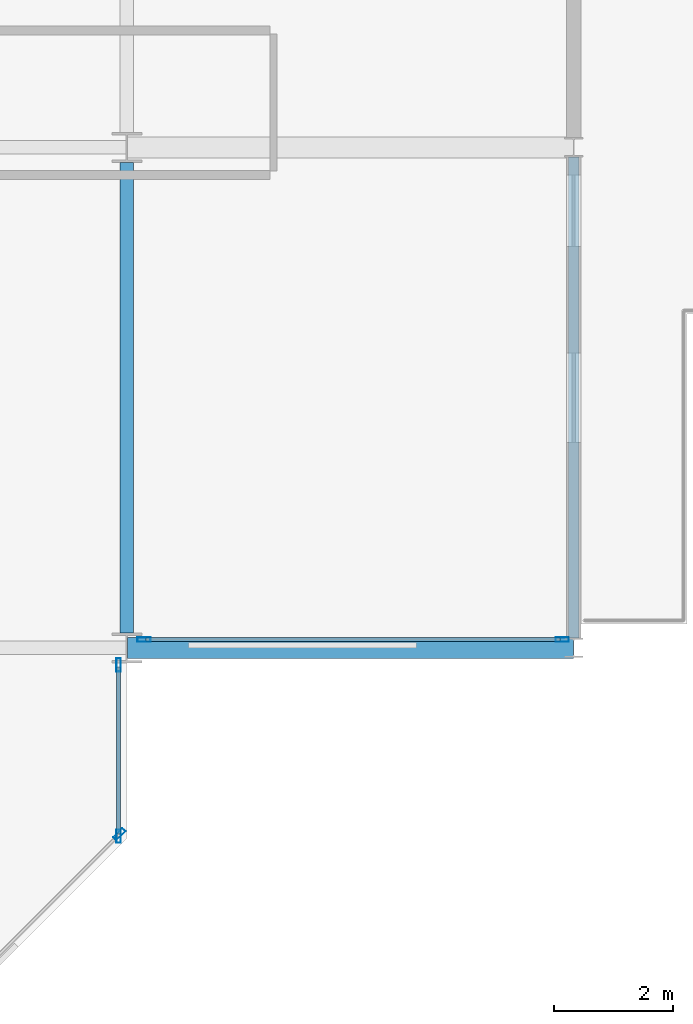
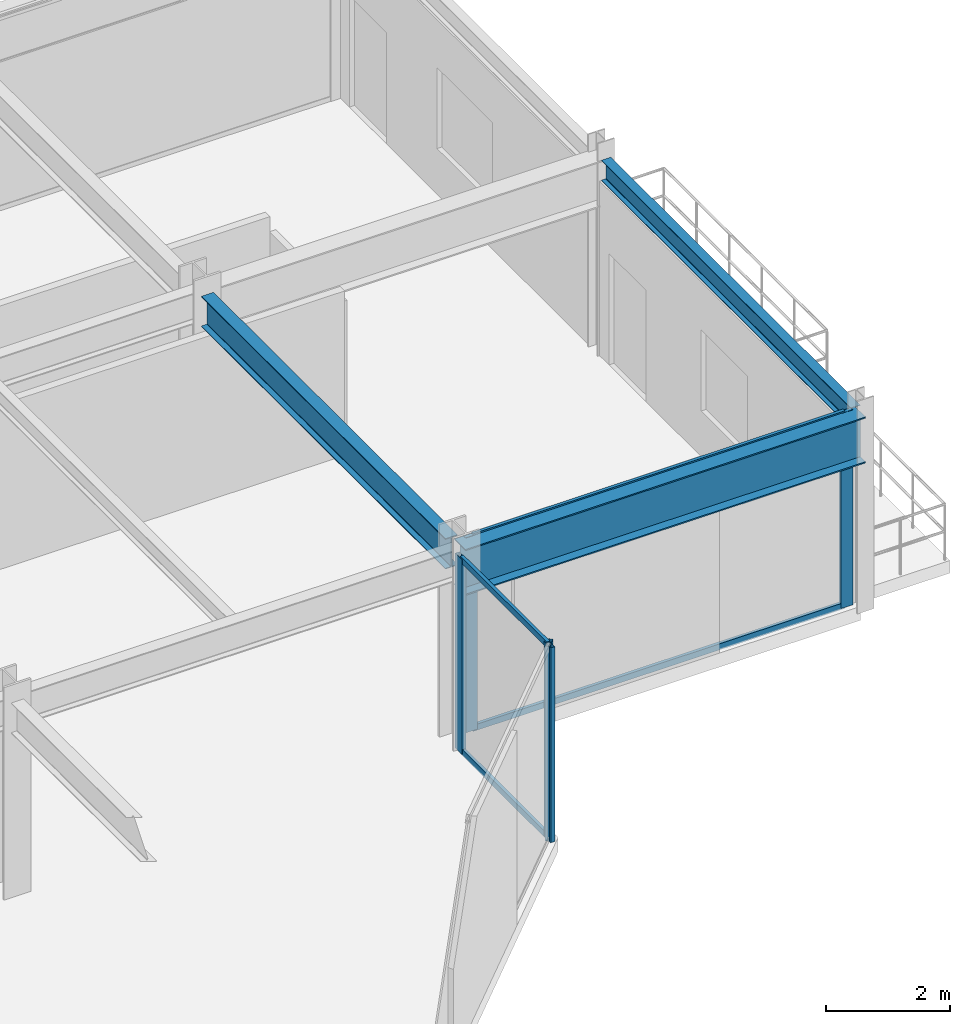
# One storey, part 13 of 26: 9 members, 3 beams, 3 elements without a shape of their own.
"""IFC4 building model written with IfcOpenShell, lengths in metres."""

from ifc_helpers import new_model, si_unit, direction, frame, origin, origin_2d, place, context, subcontext, project, spatial, hollow_rectangle, i_section, extrude, material, layer, layer_set, material_profile, profile_set, type_object, element, aggregate, save


model = new_model("IFC4")

# Units and contexts
model_context = context("Model", 3, precision=1e-05, world=origin(), true_north=direction((0.0, 1.0)))
body_context = subcontext(model_context, "Body", "Model", "MODEL_VIEW")
ifc_project = project(units=[si_unit("LENGTHUNIT", "METRE"), si_unit("AREAUNIT", "SQUARE_METRE"), si_unit("VOLUMEUNIT", "CUBIC_METRE"), si_unit("PLANEANGLEUNIT", "RADIAN"), si_unit("MASSUNIT", "GRAM", prefix="KILO")], contexts=[model_context])

# Site, building, storey
site_placement = place(None, origin())
site = spatial("IfcSite", under=ifc_project, at=site_placement, CompositionType="ELEMENT")
building_placement = place(site_placement, origin())
building = spatial("IfcBuilding", under=site, at=building_placement, Name="Nerrivon Quay Data Exchange", CompositionType="ELEMENT")
storey_placement = place(building_placement, frame((0.0, 0.0, 75.199951171875)))
storey = spatial("IfcBuildingStorey", under=building, at=storey_placement, Name="L17", CompositionType="ELEMENT", Elevation=75.199951171875)

# Beams
ifc_material_1 = material(Name="Steel Grade 350", Category="steel")
ifc_material_profile_1 = material_profile(ifc_material_1, i_section(OverallWidth=0.35009765625, OverallDepth=0.909912109375, WebThickness=0.011962890625, FlangeThickness=0.02490234375, at=origin_2d()), Name="900WB218")
ifc_profile_set_1 = profile_set([ifc_material_profile_1], Name="Steel Grade 350")
beam_type_1 = type_object("IfcBeamType", Name="BM-CANT-900WB", PredefinedType="USERDEFINED", material=ifc_profile_set_1)
beam_1_placement = place(storey_placement, frame((50.4140625, 8.39990234375, 3.39501953125), z_axis=(1.0, 0.0, 0.0), x_axis=(0.0, 1.0, 0.0)))
element("IfcBeam", 1, at=beam_1_placement, inside=storey, type_object=beam_type_1, Name="L17 East Hooked Cantilever Girder Y=8.4", ObjectType="TRANSFER", PredefinedType="USERDEFINED", context=body_context, shape_type="SweptSolid", body=[
    extrude(i_section(OverallWidth=0.35009765625, OverallDepth=0.909912109375, WebThickness=0.011962890625, FlangeThickness=0.02490234375, at=origin_2d()), origin(), (0.0, 0.0, 1.0), 7.47802734375),
])
ifc_material_profile_2 = material_profile(ifc_material_1, i_section(OverallWidth=0.22802734375, OverallDepth=0.60205078125, WebThickness=0.010498046875, FlangeThickness=0.014892578125, FilletRadius=0.013916015625, at=origin_2d()), Name="610UB101")
ifc_profile_set_2 = profile_set([ifc_material_profile_2], Name="Steel Grade 350")
beam_type_2 = type_object("IfcBeamType", Name="BM-G2-610UB101", PredefinedType="BEAM", material=ifc_profile_set_2)
beam_2_placement = place(storey_placement, frame((50.39990234375, 8.64990234375, 3.549072265625), z_axis=(0.0, 1.0, 0.0), x_axis=(-1.0, 0.0, 0.0)))
element("IfcBeam", 2, at=beam_2_placement, inside=storey, type_object=beam_type_2, Name="L17 NS Girder X=50.4 (8.4..16.8)", PredefinedType="BEAM", context=body_context, shape_type="SweptSolid", body=[
    extrude(i_section(OverallWidth=0.22802734375, OverallDepth=0.60205078125, WebThickness=0.010498046875, FlangeThickness=0.014892578125, FilletRadius=0.013916015625, at=origin_2d()), origin(), (0.0, 0.0, 1.0), 7.900146484375),
])
ifc_material_profile_3 = material_profile(ifc_material_1, i_section(OverallWidth=0.177978515625, OverallDepth=0.403076171875, WebThickness=0.007568359375, FlangeThickness=0.010986328125, FilletRadius=0.011474609375, at=origin_2d()), Name="410UB53.7")
ifc_profile_set_3 = profile_set([ifc_material_profile_3], Name="Steel Grade 350")
beam_type_3 = type_object("IfcBeamType", Name="BM-SP2-410UB54", PredefinedType="SPANDREL", material=ifc_profile_set_3)
beam_3_placement = place(storey_placement, frame((57.89990234375, 8.5634765625, 3.6484375), z_axis=(0.0, 1.0, 0.0), x_axis=(-1.0, 0.0, 0.0)))
element("IfcBeam", 3, at=beam_3_placement, inside=storey, type_object=beam_type_3, Name="L17 East Hooked Edge Spandrel", PredefinedType="SPANDREL", context=body_context, shape_type="SweptSolid", body=[
    extrude(i_section(OverallWidth=0.177978515625, OverallDepth=0.403076171875, WebThickness=0.007568359375, FlangeThickness=0.010986328125, FilletRadius=0.011474609375, at=origin_2d()), origin(), (0.0, 0.0, 1.0), 8.072998046875),
])

# Curtain wall, members
ifc_material_2 = material(Name="Anodised aluminium 6063-T6", Category="aluminium")
ifc_layer_1 = layer(ifc_material_2, 0.199951171875)
ifc_layer_set_1 = layer_set([ifc_layer_1], Name="Anodised aluminium 6063-T6")
curtain_wall_type_1 = type_object("IfcCurtainWallType", Name="CW-SYS-04", PredefinedType="NOTDEFINED", material=ifc_layer_set_1)
curtain_wall_1_placement = place(storey_placement, origin())
curtain_wall_1 = element("IfcCurtainWall", 4, at=curtain_wall_1_placement, inside=storey, type_object=curtain_wall_type_1, Name="L17 Unitised Curtain Wall 3", PredefinedType="NOTDEFINED")
ifc_material_profile_4 = material_profile(ifc_material_2, hollow_rectangle(XDim=0.074951171875, YDim=0.219970703125, WallThickness=0.00390625, at=origin_2d()), Name="ALU-MULL-220x75")
ifc_profile_set_4 = profile_set([ifc_material_profile_4], Name="Anodised aluminium 6063-T6")
member_type_1 = type_object("IfcMemberType", Name="CWM-220x75", PredefinedType="MULLION", material=ifc_profile_set_4)
member_1_placement = place(storey_placement, frame((57.70703125, 8.5400390625, 0.0), z_axis=(0.0, 0.0, 1.0), x_axis=(0.0, -1.0, 0.0)))
member_1 = element("IfcMember", 5, at=member_1_placement, type_object=member_type_1, Name="CW04 mullion 1", PredefinedType="MULLION", context=body_context, shape_type="SweptSolid", body=[
    extrude(hollow_rectangle(XDim=0.074951171875, YDim=0.219970703125, WallThickness=0.00390625, at=origin_2d()), origin(), (0.0, 0.0, 1.0), 3.85009765625),
])
member_2_placement = place(storey_placement, frame((50.6875, 8.5400390625, 0.0), z_axis=(0.0, 0.0, 1.0), x_axis=(0.0, -1.0, 0.0)))
member_2 = element("IfcMember", 6, at=member_2_placement, type_object=member_type_1, Name="CW04 mullion 2", PredefinedType="MULLION", context=body_context, shape_type="SweptSolid", body=[
    extrude(hollow_rectangle(XDim=0.074951171875, YDim=0.219970703125, WallThickness=0.00390625, at=origin_2d()), origin(), (0.0, 0.0, 1.0), 3.85009765625),
])

ifc_layer_2 = layer(ifc_material_2, 0.219970703125)
ifc_layer_set_2 = layer_set([ifc_layer_2], Name="Anodised aluminium 6063-T6")
curtain_wall_type_2 = type_object("IfcCurtainWallType", Name="CW-SYS-01", PredefinedType="NOTDEFINED", material=ifc_layer_set_2)
curtain_wall_2_placement = place(storey_placement, origin())
curtain_wall_2 = element("IfcCurtainWall", 7, at=curtain_wall_2_placement, inside=storey, type_object=curtain_wall_type_2, Name="L17 Unitised Curtain Wall 4", PredefinedType="NOTDEFINED")
member_3_placement = place(storey_placement, frame((50.260009765625, 8.112548828125, 0.0), z_axis=(0.0, 0.0, 1.0), x_axis=(1.0, 0.0, 0.0)))
member_3 = element("IfcMember", 8, at=member_3_placement, type_object=member_type_1, Name="CW01 mullion 1", PredefinedType="MULLION", context=body_context, shape_type="SweptSolid", body=[
    extrude(hollow_rectangle(XDim=0.074951171875, YDim=0.219970703125, WallThickness=0.00390625, at=origin_2d()), origin(), (0.0, 0.0, 1.0), 3.85009765625),
])
member_4_placement = place(storey_placement, frame((50.260009765625, 5.237548828125, 0.0), z_axis=(0.0, 0.0, 1.0), x_axis=(1.0, 0.0, 0.0)))
member_4 = element("IfcMember", 9, at=member_4_placement, type_object=member_type_1, Name="CW01 mullion 2", PredefinedType="MULLION", context=body_context, shape_type="SweptSolid", body=[
    extrude(hollow_rectangle(XDim=0.074951171875, YDim=0.219970703125, WallThickness=0.00390625, at=origin_2d()), origin(), (0.0, 0.0, 1.0), 3.85009765625),
])

# Curtain wall, member
curtain_wall_3_placement = place(storey_placement, origin())
curtain_wall_3 = element("IfcCurtainWall", 10, at=curtain_wall_3_placement, inside=storey, type_object=curtain_wall_type_2, Name="L17 Unitised Curtain Wall 5", PredefinedType="NOTDEFINED")
member_5_placement = place(storey_placement, frame((50.2744140625, 5.2724609375, 0.0), z_axis=(0.0, 0.0, 1.0), x_axis=(0.707106781187, -0.707106781187, 0.0)))
member_5 = element("IfcMember", 11, at=member_5_placement, type_object=member_type_1, Name="CW01 mullion 1", PredefinedType="MULLION", context=body_context, shape_type="SweptSolid", body=[
    extrude(hollow_rectangle(XDim=0.074951171875, YDim=0.219970703125, WallThickness=0.00390625, at=origin_2d()), origin(), (0.0, 0.0, 1.0), 3.85009765625),
])
aggregate(curtain_wall_3, [member_5])

# Member
ifc_material_profile_5 = material_profile(ifc_material_2, hollow_rectangle(XDim=0.06005859375, YDim=0.1201171875, WallThickness=0.003173828125, at=origin_2d()), Name="ALU-TRAN-120x60")
ifc_profile_set_5 = profile_set([ifc_material_profile_5], Name="Anodised aluminium 6063-T6")
member_type_2 = type_object("IfcMemberType", Name="CWT-120x60", PredefinedType="USERDEFINED", material=ifc_profile_set_5)
member_6_placement = place(storey_placement, frame((57.66943359375, 8.5400390625, 0.032470703125), z_axis=(-1.0, 0.0, 0.0), x_axis=(0.0, -1.0, 0.0)))
member_6 = element("IfcMember", 12, at=member_6_placement, type_object=member_type_2, Name="CW04 transom 1.1", ObjectType="TRANSOM", PredefinedType="USERDEFINED", context=body_context, shape_type="SweptSolid", body=[
    extrude(hollow_rectangle(XDim=0.06005859375, YDim=0.1201171875, WallThickness=0.003173828125, at=origin_2d()), origin(), (0.0, 0.0, 1.0), 6.9443359375),
])

member_7_placement = place(storey_placement, frame((57.66943359375, 8.5400390625, 3.817626953125), z_axis=(-1.0, 0.0, 0.0), x_axis=(0.0, -1.0, 0.0)))
member_7 = element("IfcMember", 13, at=member_7_placement, type_object=member_type_2, Name="CW04 transom 1.2", ObjectType="TRANSOM", PredefinedType="USERDEFINED", context=body_context, shape_type="SweptSolid", body=[
    extrude(hollow_rectangle(XDim=0.06005859375, YDim=0.1201171875, WallThickness=0.003173828125, at=origin_2d()), origin(), (0.0, 0.0, 1.0), 6.9443359375),
])

aggregate(curtain_wall_1, [member_1, member_2, member_6, member_7])

member_8_placement = place(storey_placement, frame((50.260009765625, 8.074951171875, 0.032470703125), z_axis=(0.0, -1.0, 0.0), x_axis=(1.0, 0.0, 0.0)))
member_8 = element("IfcMember", 14, at=member_8_placement, type_object=member_type_2, Name="CW01 transom 1.1", ObjectType="TRANSOM", PredefinedType="USERDEFINED", context=body_context, shape_type="SweptSolid", body=[
    extrude(hollow_rectangle(XDim=0.06005859375, YDim=0.1201171875, WallThickness=0.003173828125, at=origin_2d()), origin(), (0.0, 0.0, 1.0), 2.800048828125),
])

member_9_placement = place(storey_placement, frame((50.260009765625, 8.074951171875, 3.817626953125), z_axis=(0.0, -1.0, 0.0), x_axis=(1.0, 0.0, 0.0)))
member_9 = element("IfcMember", 15, at=member_9_placement, type_object=member_type_2, Name="CW01 transom 1.2", ObjectType="TRANSOM", PredefinedType="USERDEFINED", context=body_context, shape_type="SweptSolid", body=[
    extrude(hollow_rectangle(XDim=0.06005859375, YDim=0.1201171875, WallThickness=0.003173828125, at=origin_2d()), origin(), (0.0, 0.0, 1.0), 2.800048828125),
])

aggregate(curtain_wall_2, [member_3, member_4, member_8, member_9])

save(model, "model.ifc")
